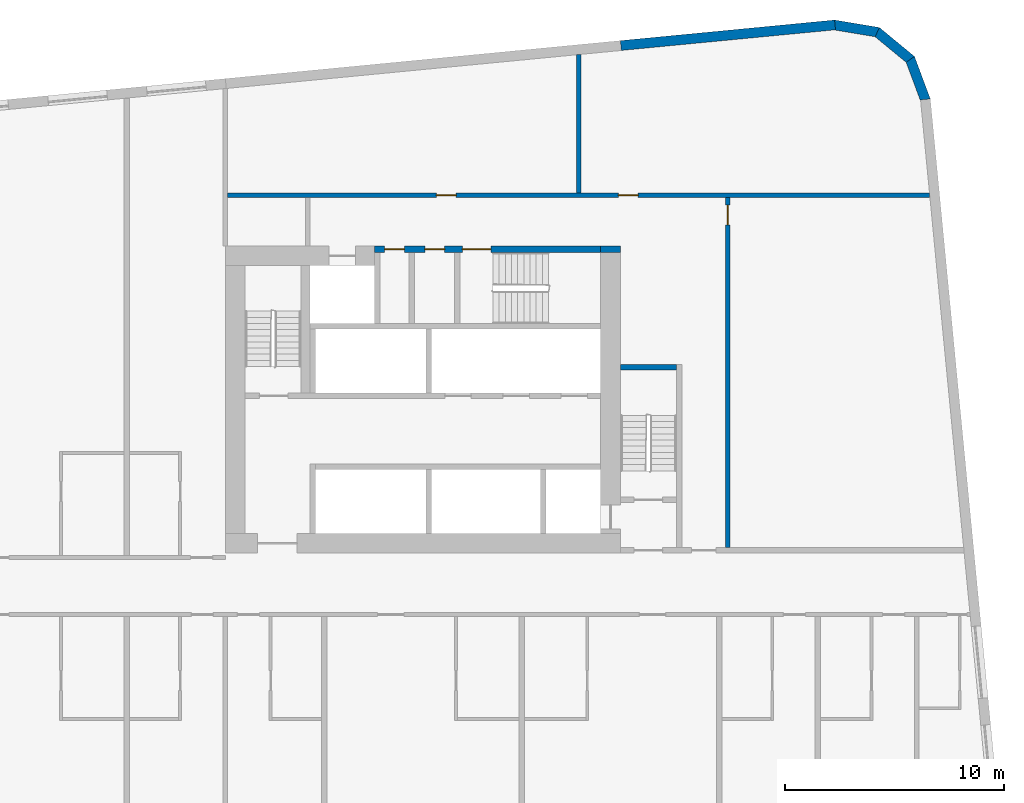
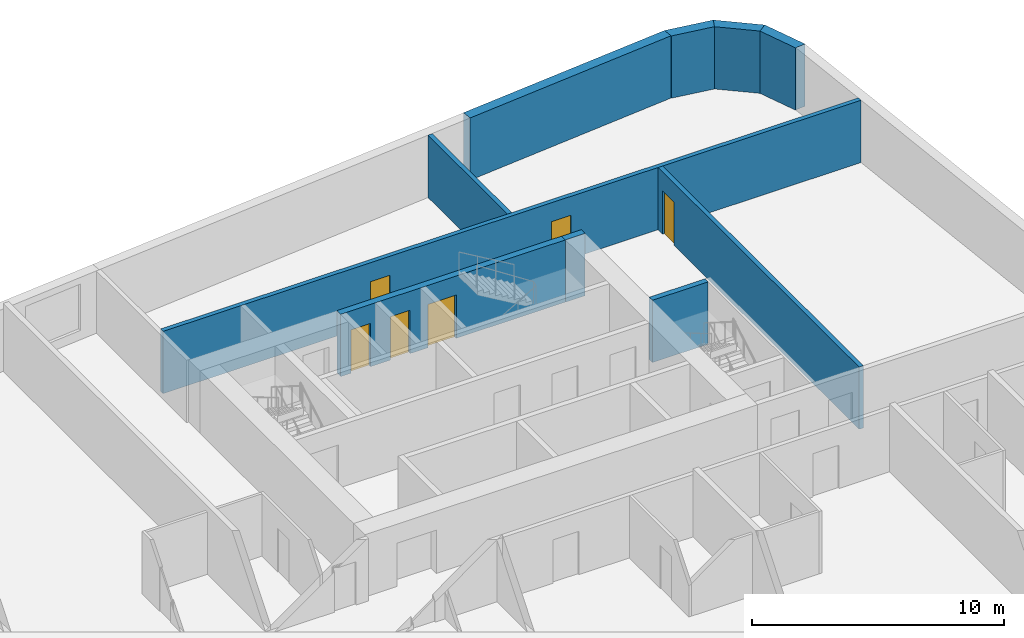
# One storey, part 8 of 12: 10 walls, 6 doors, 6 openings.
"""IFC4 building model written with IfcOpenShell, lengths in metres."""

from ifc_helpers import new_model, si_unit, direction, frame, frame_2d, origin, place, context, subcontext, project, spatial, polyline, rectangle, outline, extrude, material, layer, layer_set, type_object, element, fill, save


model = new_model("IFC4")

# Units and contexts
model_context = context("Model", 3, precision=1e-05, world=origin(), true_north=direction((0.0, 1.0)))
body_context = subcontext(model_context, "Body", "Model", "MODEL_VIEW")
ifc_project = project(units=[si_unit("LENGTHUNIT", "METRE"), si_unit("AREAUNIT", "SQUARE_METRE"), si_unit("VOLUMEUNIT", "CUBIC_METRE"), si_unit("PLANEANGLEUNIT", "RADIAN"), si_unit("MASSUNIT", "GRAM", prefix="KILO")], contexts=[model_context])

# Site, building, storey
site_placement = place(None, origin())
site = spatial("IfcSite", under=ifc_project, at=site_placement, CompositionType="ELEMENT")
building_placement = place(site_placement, origin())
building = spatial("IfcBuilding", under=site, at=building_placement, Name="Kajstack Hotel Tower", CompositionType="ELEMENT")
storey_placement = place(building_placement, frame((0.0, 0.0, 114.10009765625)))
storey = spatial("IfcBuildingStorey", under=building, at=storey_placement, Name="L24", CompositionType="ELEMENT", Elevation=114.10009765625)

# Walls
ifc_material_1 = material(Name="Concrete C60/75", Category="concrete")
ifc_layer_1 = layer(ifc_material_1, 0.89990234375)
ifc_layer_set_1 = layer_set([ifc_layer_1], Name="Core wall 900")
wall_type_1 = type_object("IfcWallType", Name="Core wall 900", PredefinedType="SHEAR", material=ifc_layer_set_1)
wall_1_placement = place(storey_placement, frame((30.60009765625, 15.35009765625, 0.0), z_axis=(0.0, 0.0, 1.0), x_axis=(1.0, 0.0, 0.0)))
element("IfcWall", 1, at=wall_1_placement, inside=storey, type_object=wall_type_1, Name="Core wall E RSW", PredefinedType="SHEAR", context=body_context, shape_type="SweptSolid", body=[
    extrude(rectangle(XDim=0.89990234375, YDim=0.300048828125, at=frame_2d((0.449951171875, 0.0))), origin(), (0.0, 0.0, 1.0), 3.02001953125),
])
ifc_material_2 = material(Name="Terracotta-faced brick masonry", Category="masonry")
ifc_layer_2 = layer(ifc_material_2, 0.449951171875)
ifc_layer_set_2 = layer_set([ifc_layer_2], Name="EW-TERRA")
wall_type_2 = type_object("IfcWallType", Name="EW-TERRA", PredefinedType="SOLIDWALL", material=ifc_layer_set_2)
wall_2_placement = place(storey_placement, frame((45.41162109375, 22.10986328125, 0.0), z_axis=(0.0, 0.0, 1.0), x_axis=(-0.350192909346, 0.936677599948, 0.0)))
element("IfcWall", 2, at=wall_2_placement, inside=storey, type_object=wall_type_2, Name="E-wall-L24-09-00", PredefinedType="SOLIDWALL", context=body_context, shape_type="SweptSolid", body=[
    extrude(outline(polyline([(0.0, -0.22509765625), (2.070556640625, -0.22509765625), (1.949951171875, 0.224853515625), (0.12060546875, 0.224853515625), (0.0, -0.22509765625)])), origin(), (0.0, 0.0, 1.0), 3.02001953125),
])
wall_3_placement = place(storey_placement, frame((44.754150390625, 23.95458984375, 0.0), z_axis=(0.0, 0.0, 1.0), x_axis=(-0.771651049663, 0.636046112757, 0.0)))
element("IfcWall", 3, at=wall_3_placement, inside=storey, type_object=wall_type_2, Name="E-wall-L24-10-00", PredefinedType="SOLIDWALL", context=body_context, shape_type="SweptSolid", body=[
    extrude(outline(polyline([(0.0, -0.22509765625), (2.070556640625, -0.22509765625), (1.949951171875, 0.224853515625), (0.12060546875, 0.22509765625), (0.0, -0.22509765625)])), origin(), (0.0, 0.0, 1.0), 3.02001953125),
])
wall_4_placement = place(storey_placement, frame((43.262451171875, 25.223388671875, 0.0), z_axis=(0.0, 0.0, 1.0), x_axis=(-0.986298144721, 0.164972633245, 0.0)))
element("IfcWall", 4, at=wall_4_placement, inside=storey, type_object=wall_type_2, Name="E-wall-L24-11-00", PredefinedType="SOLIDWALL", context=body_context, shape_type="SweptSolid", body=[
    extrude(outline(polyline([(0.0, -0.224853515625), (2.070556640625, -0.22509765625), (1.949951171875, 0.22509765625), (0.12060546875, 0.22509765625), (0.0, -0.224853515625)])), origin(), (0.0, 0.0, 1.0), 3.02001953125),
])
wall_5_placement = place(storey_placement, frame((41.279052734375, 25.56298828125, 0.0), z_axis=(0.0, 0.0, 1.0), x_axis=(-0.995394735506, -0.095860943703, 0.0)))
element("IfcWall", 5, at=wall_5_placement, inside=storey, type_object=wall_type_2, Name="E-wall-L24-12-00", PredefinedType="SOLIDWALL", context=body_context, shape_type="SweptSolid", body=[
    extrude(rectangle(XDim=9.802734375, YDim=0.449951171875, at=frame_2d((4.9013671875, 0.0))), origin(), (0.0, 0.0, 1.0), 3.02001953125),
])

# Wall, opening, door
ifc_material_3 = material(Name="Gypsum board on steel studs, mineral wool", Category="steel")
ifc_layer_3 = layer(ifc_material_3, 0.199951171875)
ifc_layer_set_3 = layer_set([ifc_layer_3], Name="Service partition 200")
wall_type_3 = type_object("IfcWallType", Name="Service partition 200", PredefinedType="PARTITIONING", material=ifc_layer_set_3)
wall_6_placement = place(storey_placement, frame((36.39990234375, 1.75, 0.0), z_axis=(0.0, 0.0, 1.0), x_axis=(0.0, 1.0, 0.0)))
wall_6 = element("IfcWall", 6, at=wall_6_placement, inside=storey, type_object=wall_type_3, Name="Partition E WRE", PredefinedType="PARTITIONING", context=body_context, shape_type="SweptSolid", body=[
    extrude(rectangle(XDim=15.949951171875, YDim=0.199951171875, at=frame_2d((7.97509765625, 0.0))), origin(), (0.0, 0.0, 1.0), 3.02001953125),
])
opening_1_placement = place(wall_6_placement, frame((14.699951171875, 0.0, 0.0)))
opening_1 = element("IfcOpeningElement", 7, at=opening_1_placement, cuts=wall_6, Name="Opening 24E16", PredefinedType="OPENING", context=body_context, shape_type="SweptSolid", body=[
    extrude(rectangle(XDim=0.89990234375, YDim=2.10009765625, at=frame_2d((0.449951171875, 1.050048828125))), frame((0.0, 0.10986328125, 0.0), z_axis=(0.0, -1.0, 0.0), x_axis=(1.0, 0.0, 0.0)), (0.0, 0.0, 1.0), 0.219970703125),
])
ifc_material_4 = material(Name="Timber leaf, fire-rated", Category="wood")
door_type_1 = type_object("IfcDoorType", Name="Service door 900", OperationType="SINGLE_SWING_LEFT", PredefinedType="DOOR", material=ifc_material_4)
door_1_placement = place(opening_1_placement, origin())
door_1 = element("IfcDoor", 8, at=door_1_placement, inside=storey, type_object=door_type_1, Name="Door 24E16", OperationType="SINGLE_SWING_RIGHT", OverallHeight=2.10009765625, OverallWidth=0.89990234375, PredefinedType="DOOR", context=body_context, shape_type="SweptSolid", body=[
    extrude(rectangle(XDim=0.89990234375, YDim=2.10009765625, at=frame_2d((0.449951171875, 1.050048828125))), frame((0.0, 0.02490234375, 0.0), z_axis=(0.0, -1.0, 0.0), x_axis=(1.0, 0.0, 0.0)), (0.0, 0.0, 1.0), 0.050048828125),
])
fill(opening_1, door_1)

# Wall, openings, doors
wall_7_placement = place(storey_placement, frame((13.60009765625, 17.800048828125, 0.0), z_axis=(0.0, 0.0, 1.0), x_axis=(1.0, 0.0, 0.0)))
wall_7 = element("IfcWall", 9, at=wall_7_placement, inside=storey, type_object=wall_type_3, Name="Partition E SLN", PredefinedType="PARTITIONING", context=body_context, shape_type="SweptSolid", body=[
    extrude(rectangle(XDim=31.992919921875, YDim=0.199951171875, at=frame_2d((15.99658203125, 0.0))), origin(), (0.0, 0.0, 1.0), 3.02001953125),
])
opening_2_placement = place(wall_7_placement, frame((17.8125, 0.0, 0.0)))
opening_2 = element("IfcOpeningElement", 10, at=opening_2_placement, cuts=wall_7, Name="Opening 24E14", PredefinedType="OPENING", context=body_context, shape_type="SweptSolid", body=[
    extrude(rectangle(XDim=0.89990234375, YDim=2.10009765625, at=frame_2d((0.449951171875, 1.050048828125))), frame((0.0, 0.10986328125, 0.0), z_axis=(0.0, -1.0, 0.0), x_axis=(1.0, 0.0, 0.0)), (0.0, 0.0, 1.0), 0.219970703125),
])
opening_3_placement = place(wall_7_placement, frame((9.512451171875, 0.0, 0.0)))
opening_3 = element("IfcOpeningElement", 11, at=opening_3_placement, cuts=wall_7, Name="Opening 24E15", PredefinedType="OPENING", context=body_context, shape_type="SweptSolid", body=[
    extrude(rectangle(XDim=0.89990234375, YDim=2.10009765625, at=frame_2d((0.449951171875, 1.050048828125))), frame((0.0, 0.10986328125, 0.0), z_axis=(0.0, -1.0, 0.0), x_axis=(1.0, 0.0, 0.0)), (0.0, 0.0, 1.0), 0.219970703125),
])
door_2_placement = place(opening_2_placement, origin())
door_2 = element("IfcDoor", 12, at=door_2_placement, inside=storey, type_object=door_type_1, Name="Door 24E14", OperationType="SINGLE_SWING_LEFT", OverallHeight=2.10009765625, OverallWidth=0.89990234375, PredefinedType="DOOR", context=body_context, shape_type="SweptSolid", body=[
    extrude(rectangle(XDim=0.89990234375, YDim=2.10009765625, at=frame_2d((0.449951171875, 1.050048828125))), frame((0.0, 0.02490234375, 0.0), z_axis=(0.0, -1.0, 0.0), x_axis=(1.0, 0.0, 0.0)), (0.0, 0.0, 1.0), 0.050048828125),
])
fill(opening_2, door_2)
door_3_placement = place(opening_3_placement, origin())
door_3 = element("IfcDoor", 13, at=door_3_placement, inside=storey, type_object=door_type_1, Name="Door 24E15", OperationType="SINGLE_SWING_LEFT", OverallHeight=2.10009765625, OverallWidth=0.89990234375, PredefinedType="DOOR", context=body_context, shape_type="SweptSolid", body=[
    extrude(rectangle(XDim=0.89990234375, YDim=2.10009765625, at=frame_2d((0.449951171875, 1.050048828125))), frame((0.0, 0.02490234375, 0.0), z_axis=(0.0, -1.0, 0.0), x_axis=(1.0, 0.0, 0.0)), (0.0, 0.0, 1.0), 0.050048828125),
])
fill(opening_3, door_3)

# Wall
wall_8_placement = place(storey_placement, frame((29.60009765625, 17.89990234375, 0.0), z_axis=(0.0, 0.0, 1.0), x_axis=(0.0, 1.0, 0.0)))
element("IfcWall", 14, at=wall_8_placement, inside=storey, type_object=wall_type_3, Name="Partition E SLP0", PredefinedType="PARTITIONING", context=body_context, shape_type="SweptSolid", body=[
    extrude(rectangle(XDim=6.3134765625, YDim=0.199951171875, at=frame_2d((3.15673828125, 0.0))), origin(), (0.0, 0.0, 1.0), 3.02001953125),
])

# Wall, openings, doors
ifc_material_5 = material(Name="Concrete C50/60", Category="concrete")
ifc_layer_4 = layer(ifc_material_5, 0.25)
ifc_layer_set_4 = layer_set([ifc_layer_4], Name="Shaft wall 250")
wall_type_4 = type_object("IfcWallType", Name="Shaft wall 250", PredefinedType="SHEAR", material=ifc_layer_set_4)
wall_9_placement = place(storey_placement, frame((20.300048828125, 15.35009765625, 0.0), z_axis=(0.0, 0.0, 1.0), x_axis=(1.0, 0.0, 0.0)))
wall_9 = element("IfcWall", 15, at=wall_9_placement, inside=storey, type_object=wall_type_4, Name="Core wall E RSS", PredefinedType="SHEAR", context=body_context, shape_type="SweptSolid", body=[
    extrude(rectangle(XDim=10.300048828125, YDim=0.300048828125, at=frame_2d((5.14990234375, 0.0))), origin(), (0.0, 0.0, 1.0), 3.02001953125),
])
opening_4_placement = place(wall_9_placement, frame((4.0, 0.0, 0.0)))
opening_4 = element("IfcOpeningElement", 16, at=opening_4_placement, cuts=wall_9, Name="Opening 24E11", PredefinedType="OPENING", context=body_context, shape_type="SweptSolid", body=[
    extrude(rectangle(XDim=1.300048828125, YDim=2.10009765625, at=frame_2d((0.64990234375, 1.050048828125))), frame((0.0, 0.159912109375, 0.0), z_axis=(0.0, -1.0, 0.0), x_axis=(1.0, 0.0, 0.0)), (0.0, 0.0, 1.0), 0.320068359375),
])
opening_5_placement = place(wall_9_placement, frame((2.28759765625, 0.0, 0.0)))
opening_5 = element("IfcOpeningElement", 17, at=opening_5_placement, cuts=wall_9, Name="Opening 24E12", PredefinedType="OPENING", context=body_context, shape_type="SweptSolid", body=[
    extrude(rectangle(XDim=0.89990234375, YDim=2.10009765625, at=frame_2d((0.449951171875, 1.050048828125))), frame((0.0, 0.159912109375, 0.0), z_axis=(0.0, -1.0, 0.0), x_axis=(1.0, 0.0, 0.0)), (0.0, 0.0, 1.0), 0.320068359375),
])
opening_6_placement = place(wall_9_placement, frame((0.46240234375, 0.0, 0.0)))
opening_6 = element("IfcOpeningElement", 18, at=opening_6_placement, cuts=wall_9, Name="Opening 24E13", PredefinedType="OPENING", context=body_context, shape_type="SweptSolid", body=[
    extrude(rectangle(XDim=0.89990234375, YDim=2.10009765625, at=frame_2d((0.449951171875, 1.050048828125))), frame((0.0, 0.159912109375, 0.0), z_axis=(0.0, -1.0, 0.0), x_axis=(1.0, 0.0, 0.0)), (0.0, 0.0, 1.0), 0.320068359375),
])
door_4_placement = place(opening_5_placement, origin())
door_4 = element("IfcDoor", 19, at=door_4_placement, inside=storey, type_object=door_type_1, Name="Door 24E12", OperationType="SINGLE_SWING_RIGHT", OverallHeight=2.10009765625, OverallWidth=0.89990234375, PredefinedType="DOOR", context=body_context, shape_type="SweptSolid", body=[
    extrude(rectangle(XDim=0.89990234375, YDim=2.10009765625, at=frame_2d((0.449951171875, 1.050048828125))), frame((0.0, 0.02490234375, 0.0), z_axis=(0.0, -1.0, 0.0), x_axis=(1.0, 0.0, 0.0)), (0.0, 0.0, 1.0), 0.050048828125),
])
fill(opening_5, door_4)
door_5_placement = place(opening_6_placement, origin())
door_5 = element("IfcDoor", 20, at=door_5_placement, inside=storey, type_object=door_type_1, Name="Door 24E13", OperationType="SINGLE_SWING_RIGHT", OverallHeight=2.10009765625, OverallWidth=0.89990234375, PredefinedType="DOOR", context=body_context, shape_type="SweptSolid", body=[
    extrude(rectangle(XDim=0.89990234375, YDim=2.10009765625, at=frame_2d((0.449951171875, 1.050048828125))), frame((0.0, 0.02490234375, 0.0), z_axis=(0.0, -1.0, 0.0), x_axis=(1.0, 0.0, 0.0)), (0.0, 0.0, 1.0), 0.050048828125),
])
fill(opening_6, door_5)
ifc_material_6 = material(Name="Steel leaf, fire-rated", Category="steel")
door_type_2 = type_object("IfcDoorType", Name="Stair door 1300", OperationType="SINGLE_SWING_LEFT", PredefinedType="DOOR", material=ifc_material_6)
door_6_placement = place(opening_4_placement, origin())
door_6 = element("IfcDoor", 21, at=door_6_placement, inside=storey, type_object=door_type_2, Name="Door 24E11", OperationType="SINGLE_SWING_LEFT", OverallHeight=2.10009765625, OverallWidth=1.300048828125, PredefinedType="DOOR", context=body_context, shape_type="SweptSolid", body=[
    extrude(rectangle(XDim=1.300048828125, YDim=2.10009765625, at=frame_2d((0.64990234375, 1.050048828125))), frame((0.0, 0.02490234375, 0.0), z_axis=(0.0, -1.0, 0.0), x_axis=(1.0, 0.0, 0.0)), (0.0, 0.0, 1.0), 0.050048828125),
])
fill(opening_4, door_6)

# Wall
ifc_material_7 = material(Name="Concrete C40/50", Category="concrete")
ifc_layer_5 = layer(ifc_material_7, 0.25)
ifc_layer_set_5 = layer_set([ifc_layer_5], Name="Stair enclosure wall 250")
wall_type_5 = type_object("IfcWallType", Name="Stair enclosure wall 250", PredefinedType="SHEAR", material=ifc_layer_set_5)
wall_10_placement = place(storey_placement, frame((31.5, 9.97509765625, 0.0), z_axis=(0.0, 0.0, 1.0), x_axis=(1.0, 0.0, 0.0)))
element("IfcWall", 22, at=wall_10_placement, inside=storey, type_object=wall_type_5, Name="Core wall E W1S", PredefinedType="SHEAR", context=body_context, shape_type="SweptSolid", body=[
    extrude(rectangle(XDim=2.550048828125, YDim=0.25, at=frame_2d((1.27490234375, 0.0))), origin(), (0.0, 0.0, 1.0), 3.02001953125),
])

save(model, "model.ifc")
